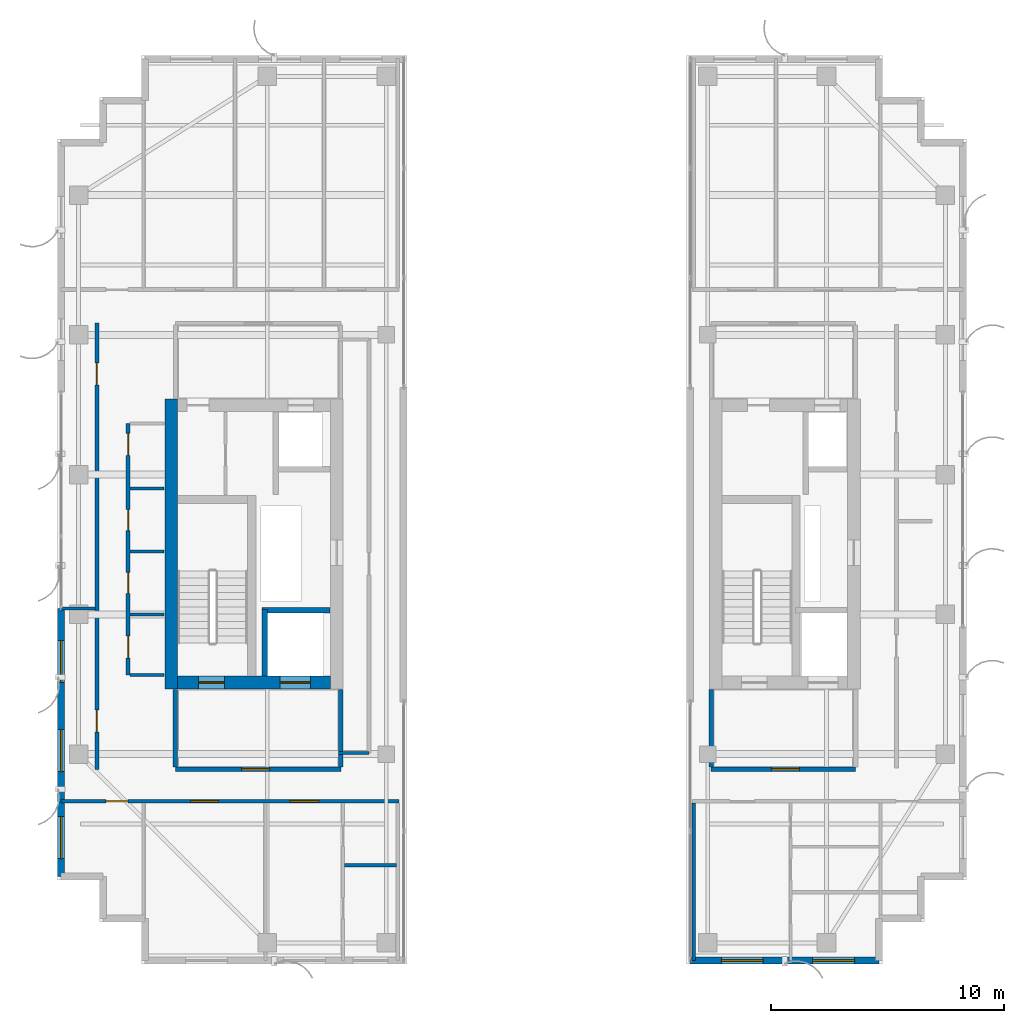
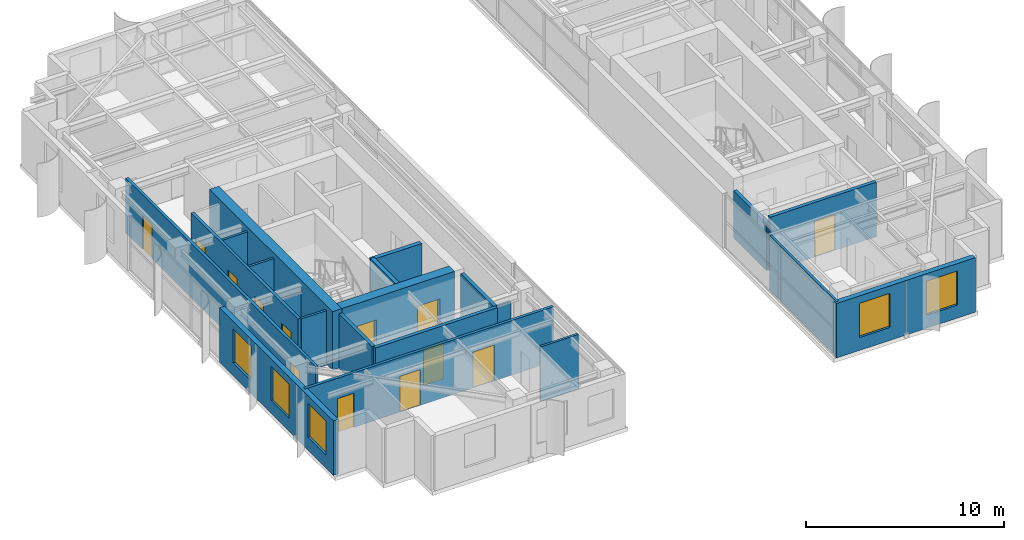
# One storey, part 18 of 24: 22 walls, 13 doors, 5 windows, 18 openings.
"""IFC4 building model written with IfcOpenShell, lengths in metres."""

from ifc_helpers import new_model, si_unit, direction, frame, frame_2d, origin, place, context, subcontext, project, spatial, rectangle, extrude, source, transform, mapped, material, layer, layer_set, type_object, element, fill, save


model = new_model("IFC4")

# Units and contexts
model_context = context("Model", 3, precision=1e-05, world=origin(), true_north=direction((0.0, 1.0)))
body_context = subcontext(model_context, "Body", "Model", "MODEL_VIEW")
ifc_project = project(units=[si_unit("LENGTHUNIT", "METRE"), si_unit("AREAUNIT", "SQUARE_METRE"), si_unit("VOLUMEUNIT", "CUBIC_METRE"), si_unit("PLANEANGLEUNIT", "RADIAN"), si_unit("MASSUNIT", "GRAM", prefix="KILO")], contexts=[model_context])

# Site, building, storey
site_placement = place(None, origin())
site = spatial("IfcSite", under=ifc_project, at=site_placement, CompositionType="ELEMENT")
building_placement = place(site_placement, origin())
building = spatial("IfcBuilding", under=site, at=building_placement, Name="Khoralis Quay Care Tower", CompositionType="ELEMENT")
storey_placement = place(building_placement, frame((0.0, 0.0, 231.300048828125)))
storey = spatial("IfcBuildingStorey", under=building, at=storey_placement, Name="L60", CompositionType="ELEMENT", Elevation=231.300048828125)

# Wall, opening, door
ifc_material_1 = material(Name="Gypsum plasterboard on acoustic metal stud")
ifc_layer_1 = layer(ifc_material_1, 0.199951171875)
ifc_layer_set_1 = layer_set([ifc_layer_1], Name="Gypsum plasterboard on acoustic metal stud")
wall_type_1 = type_object("IfcWallType", Name="WL-COMP-200", PredefinedType="PARTITIONING", material=ifc_layer_set_1)
wall_1_placement = place(storey_placement, frame((8.050048828125, 11.35009765625, 0.0), z_axis=(0.0, 0.0, 1.0), x_axis=(1.0, 0.0, 0.0)))
wall_1 = element("IfcWall", 1, at=wall_1_placement, inside=storey, type_object=wall_type_1, Name="L60 West Firefighting Lobby South Wall", PredefinedType="PARTITIONING", context=body_context, shape_type="SweptSolid", body=[
    extrude(rectangle(XDim=7.099853515625, YDim=0.199951171875, at=frame_2d((3.5498046875, 0.0))), origin(), (0.0, 0.0, 1.0), 3.35986328125),
])
opening_1_placement = place(wall_1_placement, frame((2.846435546875, 0.0, 0.0)))
opening_1 = element("IfcOpeningElement", 2, at=opening_1_placement, cuts=wall_1, Name="Opening FD1", PredefinedType="OPENING", context=body_context, shape_type="SweptSolid", body=[
    extrude(rectangle(XDim=1.199951171875, YDim=2.199951171875, at=frame_2d((0.60009765625, 1.10009765625))), frame((0.0, 0.10986328125, 0.0), z_axis=(0.0, -1.0, 0.0), x_axis=(1.0, 0.0, 0.0)), (0.0, 0.0, 1.0), 0.219970703125),
])
ifc_material_2 = material(Name="Fire-rated painted steel", Category="steel")
door_type_1 = type_object("IfcDoorType", Name="DR-FFL-1200X2200", OperationType="NOTDEFINED", PredefinedType="DOOR", material=ifc_material_2)
shared_shape_1 = source(origin(), body_context, "Body", "SweptSolid", [
    extrude(rectangle(XDim=1.199951171875, YDim=2.199951171875, at=frame_2d((0.60009765625, 1.10009765625))), frame((0.0, 0.02490234375, 0.0), z_axis=(0.0, -1.0, 0.0), x_axis=(1.0, 0.0, 0.0)), (0.0, 0.0, 1.0), 0.050048828125),
])
door_1_placement = place(opening_1_placement, origin())
door_1 = element("IfcDoor", 3, at=door_1_placement, inside=storey, type_object=door_type_1, Name="L60 West Firefighting Lobby Fire Door", OperationType="SINGLE_SWING_RIGHT", OverallHeight=2.199951171875, OverallWidth=1.199951171875, PredefinedType="DOOR", context=body_context, shape_type="MappedRepresentation", body=[
    mapped(shared_shape_1, transform((0.0, 0.0, 0.0), scale=1.0)),
])
fill(opening_1, door_1)

# Walls
for number, where, z_axis, x_axis, name in (
    (4, (8.050048828125, 11.445068359375, 0.0), (0.0, 0.0, 1.0), (0.0, 1.0, 0.0), "L60 West Firefighting Lobby West Wall"),
    (5, (15.14990234375, 11.445068359375, 0.0), (0.0, 0.0, 1.0), (0.0, 1.0, 0.0), "L60 West Firefighting Lobby East Wall"),
):
    element("IfcWall", number, at=place(storey_placement, frame(where, z_axis=z_axis, x_axis=x_axis)), inside=storey, type_object=wall_type_1, Name=name, PredefinedType="PARTITIONING", context=body_context, shape_type="SweptSolid", body=[
        extrude(rectangle(XDim=3.3349609375, YDim=0.199951171875, at=frame_2d((1.66748046875, 0.0))), origin(), (0.0, 0.0, 1.0), 3.35986328125),
    ])

# Wall, opening, door
wall_2_placement = place(storey_placement, frame((31.050048828125, 11.35009765625, 0.0), z_axis=(0.0, 0.0, 1.0), x_axis=(1.0, 0.0, 0.0)))
wall_2 = element("IfcWall", 6, at=wall_2_placement, inside=storey, type_object=wall_type_1, Name="L60 East Firefighting Lobby South Wall", PredefinedType="PARTITIONING", context=body_context, shape_type="SweptSolid", body=[
    extrude(rectangle(XDim=6.199951171875, YDim=0.199951171875, at=frame_2d((3.10009765625, 0.0))), origin(), (0.0, 0.0, 1.0), 3.35986328125),
])
opening_2_placement = place(wall_2_placement, frame((2.585693359375, 0.0, 0.0)))
opening_2 = element("IfcOpeningElement", 7, at=opening_2_placement, cuts=wall_2, Name="Opening FD1", PredefinedType="OPENING", context=body_context, shape_type="SweptSolid", body=[
    extrude(rectangle(XDim=1.199951171875, YDim=2.199951171875, at=frame_2d((0.60009765625, 1.10009765625))), frame((0.0, 0.10986328125, 0.0), z_axis=(0.0, -1.0, 0.0), x_axis=(1.0, 0.0, 0.0)), (0.0, 0.0, 1.0), 0.219970703125),
])
door_2_placement = place(opening_2_placement, origin())
door_2 = element("IfcDoor", 8, at=door_2_placement, inside=storey, type_object=door_type_1, Name="L60 East Firefighting Lobby Fire Door", OperationType="SINGLE_SWING_LEFT", OverallHeight=2.199951171875, OverallWidth=1.199951171875, PredefinedType="DOOR", context=body_context, shape_type="MappedRepresentation", body=[
    mapped(shared_shape_1, transform((0.0, 0.0, 0.0), scale=1.0)),
])
fill(opening_2, door_2)

# Walls
wall_3_placement = place(storey_placement, frame((31.050048828125, 11.445068359375, 0.0), z_axis=(0.0, 0.0, 1.0), x_axis=(0.0, 1.0, 0.0)))
element("IfcWall", 9, at=wall_3_placement, inside=storey, type_object=wall_type_1, Name="L60 East Firefighting Lobby West Wall", PredefinedType="PARTITIONING", context=body_context, shape_type="SweptSolid", body=[
    extrude(rectangle(XDim=3.3349609375, YDim=0.199951171875, at=frame_2d((1.66748046875, 0.0))), origin(), (0.0, 0.0, 1.0), 2.90087890625),
])
ifc_material_3 = material(Name="Concrete C65/80", Category="concrete")
ifc_layer_2 = layer(ifc_material_3, 0.550048828125)
ifc_layer_set_2 = layer_set([ifc_layer_2], Name="Concrete C65/80")
wall_type_2 = type_object("IfcWallType", Name="WL-CORE-550", PredefinedType="SHEAR", material=ifc_layer_set_2)
wall_4_placement = place(storey_placement, frame((7.875, 14.800048828125, 0.0), z_axis=(0.0, 0.0, 1.0), x_axis=(0.0, 1.0, 0.0)))
element("IfcWall", 10, at=wall_4_placement, inside=storey, type_object=wall_type_2, Name="L60 WCORE West Shear Wall", PredefinedType="SHEAR", context=body_context, shape_type="SweptSolid", body=[
    extrude(rectangle(XDim=12.449951171875, YDim=0.550048828125, at=frame_2d((6.22509765625, 0.0))), origin(), (0.0, 0.0, 1.0), 3.599853515625),
])

# Wall, openings, doors
wall_5_placement = place(storey_placement, frame((8.14990234375, 15.074951171875, 0.0), z_axis=(0.0, 0.0, 1.0), x_axis=(1.0, 0.0, 0.0)))
wall_5 = element("IfcWall", 11, at=wall_5_placement, inside=storey, type_object=wall_type_2, Name="L60 WCORE South Shear Wall", PredefinedType="SHEAR", context=body_context, shape_type="SweptSolid", body=[
    extrude(rectangle(XDim=6.550048828125, YDim=0.550048828125, at=frame_2d((3.27490234375, 0.0))), origin(), (0.0, 0.0, 1.0), 3.599853515625),
])
opening_3_placement = place(wall_5_placement, frame((0.89990234375, 0.0, 0.0)))
opening_3 = element("IfcOpeningElement", 12, at=opening_3_placement, cuts=wall_5, Name="Opening SD1", PredefinedType="OPENING", context=body_context, shape_type="SweptSolid", body=[
    extrude(rectangle(XDim=1.10009765625, YDim=2.199951171875, at=frame_2d((0.550048828125, 1.10009765625))), frame((0.0, 0.28515625, 0.0), z_axis=(0.0, -1.0, 0.0), x_axis=(1.0, 0.0, 0.0)), (0.0, 0.0, 1.0), 0.570068359375),
])
opening_4_placement = place(wall_5_placement, frame((4.39990234375, 0.0, 0.0)))
opening_4 = element("IfcOpeningElement", 13, at=opening_4_placement, cuts=wall_5, Name="Opening LD2", PredefinedType="OPENING", context=body_context, shape_type="SweptSolid", body=[
    extrude(rectangle(XDim=1.300048828125, YDim=2.199951171875, at=frame_2d((0.64990234375, 1.10009765625))), frame((0.0, 0.28515625, 0.0), z_axis=(0.0, -1.0, 0.0), x_axis=(1.0, 0.0, 0.0)), (0.0, 0.0, 1.0), 0.570068359375),
])
door_type_2 = type_object("IfcDoorType", Name="DR-STAIR-1100X2200", OperationType="NOTDEFINED", PredefinedType="DOOR", material=ifc_material_2)
shared_shape_2 = source(origin(), body_context, "Body", "SweptSolid", [
    extrude(rectangle(XDim=1.10009765625, YDim=2.199951171875, at=frame_2d((0.550048828125, 1.10009765625))), frame((0.0, 0.02490234375, 0.0), z_axis=(0.0, -1.0, 0.0), x_axis=(1.0, 0.0, 0.0)), (0.0, 0.0, 1.0), 0.050048828125),
])
door_3_placement = place(opening_3_placement, origin())
door_3 = element("IfcDoor", 14, at=door_3_placement, inside=storey, type_object=door_type_2, Name="L60 Stair ST-T1 Fire Door", OperationType="SINGLE_SWING_RIGHT", OverallHeight=2.199951171875, OverallWidth=1.10009765625, PredefinedType="DOOR", context=body_context, shape_type="MappedRepresentation", body=[
    mapped(shared_shape_2, transform((0.0, 0.0, 0.0), scale=1.0)),
])
fill(opening_3, door_3)
ifc_material_4 = material(Name="Brushed stainless steel", Category="steel")
door_type_3 = type_object("IfcDoorType", Name="DR-LIFT-1300X2200", OperationType="SLIDING_TO_RIGHT", PredefinedType="DOOR", material=ifc_material_4)
shared_shape_3 = source(origin(), body_context, "Body", "SweptSolid", [
    extrude(rectangle(XDim=1.300048828125, YDim=2.199951171875, at=frame_2d((0.64990234375, 1.10009765625))), frame((0.0, 0.02490234375, 0.0), z_axis=(0.0, -1.0, 0.0), x_axis=(1.0, 0.0, 0.0)), (0.0, 0.0, 1.0), 0.050048828125),
])
door_4_placement = place(opening_4_placement, origin())
door_4 = element("IfcDoor", 15, at=door_4_placement, inside=storey, type_object=door_type_3, Name="L60 Firefighting Lift FFL-1 Landing Door", OperationType="SLIDING_TO_RIGHT", OverallHeight=2.199951171875, OverallWidth=1.300048828125, PredefinedType="DOOR", context=body_context, shape_type="MappedRepresentation", body=[
    mapped(shared_shape_3, transform((0.0, 0.0, 0.0), scale=1.0)),
])
fill(opening_4, door_4)

ifc_layer_3 = layer(ifc_material_1, 0.1650390625)
ifc_layer_set_3 = layer_set([ifc_layer_3], Name="Gypsum plasterboard on acoustic metal stud")
wall_type_3 = type_object("IfcWallType", Name="WL-CORR-165", PredefinedType="PARTITIONING", material=ifc_layer_set_3)
wall_6_placement = place(storey_placement, frame((6.02001953125, 15.39990234375, 0.0), z_axis=(0.0, 0.0, 1.0), x_axis=(0.0, 1.0, 0.0)))
wall_6 = element("IfcWall", 16, at=wall_6_placement, inside=storey, type_object=wall_type_3, Name="L60 West Core Service Flank Wall", PredefinedType="PARTITIONING", context=body_context, shape_type="SweptSolid", body=[
    extrude(rectangle(XDim=10.800048828125, YDim=0.1650390625, at=frame_2d((5.39990234375, 0.0))), origin(), (0.0, 0.0, 1.0), 3.35986328125),
])
opening_5_placement = place(wall_6_placement, frame((0.72509765625, 0.0, 0.0)))
opening_5 = element("IfcOpeningElement", 17, at=opening_5_placement, cuts=wall_6, Name="Opening ID1", PredefinedType="OPENING", context=body_context, shape_type="SweptSolid", body=[
    extrude(rectangle(XDim=0.949951171875, YDim=2.10009765625, at=frame_2d((0.47509765625, 1.050048828125))), frame((0.0, 0.092529296875, 0.0), z_axis=(0.0, -1.0, 0.0), x_axis=(1.0, 0.0, 0.0)), (0.0, 0.0, 1.0), 0.18505859375),
])
opening_6_placement = place(wall_6_placement, frame((3.5, 0.0, 0.0)))
opening_6 = element("IfcOpeningElement", 18, at=opening_6_placement, cuts=wall_6, Name="Opening WD1", PredefinedType="OPENING", context=body_context, shape_type="SweptSolid", body=[
    extrude(rectangle(XDim=0.89990234375, YDim=2.10009765625, at=frame_2d((0.449951171875, 1.050048828125))), frame((0.0, 0.092529296875, 0.0), z_axis=(0.0, -1.0, 0.0), x_axis=(1.0, 0.0, 0.0)), (0.0, 0.0, 1.0), 0.18505859375),
])
opening_7_placement = place(wall_6_placement, frame((6.199951171875, 0.0, 0.0)))
opening_7 = element("IfcOpeningElement", 19, at=opening_7_placement, cuts=wall_6, Name="Opening WD1", PredefinedType="OPENING", context=body_context, shape_type="SweptSolid", body=[
    extrude(rectangle(XDim=0.89990234375, YDim=2.10009765625, at=frame_2d((0.449951171875, 1.050048828125))), frame((0.0, 0.092529296875, 0.0), z_axis=(0.0, -1.0, 0.0), x_axis=(1.0, 0.0, 0.0)), (0.0, 0.0, 1.0), 0.18505859375),
])
opening_8_placement = place(wall_6_placement, frame((9.425048828125, 0.0, 0.0)))
opening_8 = element("IfcOpeningElement", 20, at=opening_8_placement, cuts=wall_6, Name="Opening ID1", PredefinedType="OPENING", context=body_context, shape_type="SweptSolid", body=[
    extrude(rectangle(XDim=0.949951171875, YDim=2.10009765625, at=frame_2d((0.47509765625, 1.050048828125))), frame((0.0, 0.092529296875, 0.0), z_axis=(0.0, -1.0, 0.0), x_axis=(1.0, 0.0, 0.0)), (0.0, 0.0, 1.0), 0.18505859375),
])
ifc_material_5 = material(Name="Acoustic hardwood timber", Category="wood")
door_type_4 = type_object("IfcDoorType", Name="DR-BATH-900X2100", OperationType="NOTDEFINED", PredefinedType="DOOR", material=ifc_material_5)
shared_shape_4 = source(origin(), body_context, "Body", "SweptSolid", [
    extrude(rectangle(XDim=0.89990234375, YDim=2.10009765625, at=frame_2d((0.449951171875, 1.050048828125))), frame((0.0, 0.02490234375, 0.0), z_axis=(0.0, -1.0, 0.0), x_axis=(1.0, 0.0, 0.0)), (0.0, 0.0, 1.0), 0.050048828125),
])
door_5_placement = place(opening_6_placement, frame((0.89990234375, 0.0, 0.0), z_axis=(0.0, 0.0, 1.0), x_axis=(-1.0, 0.0, 0.0)))
door_5 = element("IfcDoor", 21, at=door_5_placement, inside=storey, type_object=door_type_4, Name="L60 Public Accessible WC Door", OperationType="SINGLE_SWING_RIGHT", OverallHeight=2.10009765625, OverallWidth=0.89990234375, PredefinedType="DOOR", context=body_context, shape_type="MappedRepresentation", body=[
    mapped(shared_shape_4, transform((0.0, 0.0, 0.0), scale=1.0)),
])
fill(opening_6, door_5)
door_6_placement = place(opening_7_placement, frame((0.89990234375, 0.0, 0.0), z_axis=(0.0, 0.0, 1.0), x_axis=(-1.0, 0.0, 0.0)))
door_6 = element("IfcDoor", 22, at=door_6_placement, inside=storey, type_object=door_type_4, Name="L60 Staff Accessible WC Door", OperationType="SINGLE_SWING_LEFT", OverallHeight=2.10009765625, OverallWidth=0.89990234375, PredefinedType="DOOR", context=body_context, shape_type="MappedRepresentation", body=[
    mapped(shared_shape_4, transform((0.0, 0.0, 0.0), scale=1.0)),
])
fill(opening_7, door_6)
door_type_5 = type_object("IfcDoorType", Name="DR-ROOM-950X2100", OperationType="NOTDEFINED", PredefinedType="DOOR", material=ifc_material_5)
shared_shape_5 = source(origin(), body_context, "Body", "SweptSolid", [
    extrude(rectangle(XDim=0.949951171875, YDim=2.10009765625, at=frame_2d((0.47509765625, 1.050048828125))), frame((0.0, 0.02490234375, 0.0), z_axis=(0.0, -1.0, 0.0), x_axis=(1.0, 0.0, 0.0)), (0.0, 0.0, 1.0), 0.050048828125),
])
door_7_placement = place(opening_5_placement, frame((0.949951171875, 0.0, 0.0), z_axis=(0.0, 0.0, 1.0), x_axis=(-1.0, 0.0, 0.0)))
door_7 = element("IfcDoor", 23, at=door_7_placement, inside=storey, type_object=door_type_5, Name="L60 Housekeeping Store Door", OperationType="SINGLE_SWING_LEFT", OverallHeight=2.10009765625, OverallWidth=0.949951171875, PredefinedType="DOOR", context=body_context, shape_type="MappedRepresentation", body=[
    mapped(shared_shape_5, transform((0.0, 0.0, 0.0), scale=1.0)),
])
fill(opening_5, door_7)
door_8_placement = place(opening_8_placement, frame((0.949951171875, 0.0, 0.0), z_axis=(0.0, 0.0, 1.0), x_axis=(-1.0, 0.0, 0.0)))
door_8 = element("IfcDoor", 24, at=door_8_placement, inside=storey, type_object=door_type_5, Name="L60 Telecom IDF Room Door", OperationType="SINGLE_SWING_RIGHT", OverallHeight=2.10009765625, OverallWidth=0.949951171875, PredefinedType="DOOR", context=body_context, shape_type="MappedRepresentation", body=[
    mapped(shared_shape_5, transform((0.0, 0.0, 0.0), scale=1.0)),
])
fill(opening_8, door_8)

wall_7_placement = place(storey_placement, frame((3.14501953125, 9.97998046875, 0.0), z_axis=(0.0, 0.0, 1.0), x_axis=(1.0, 0.0, 0.0)))
wall_7 = element("IfcWall", 25, at=wall_7_placement, inside=storey, type_object=wall_type_3, Name="L60 West Wing South Corridor Wall", PredefinedType="PARTITIONING", context=body_context, shape_type="SweptSolid", body=[
    extrude(rectangle(XDim=14.5048828125, YDim=0.1650390625, at=frame_2d((7.25244140625, 0.0))), origin(), (0.0, 0.0, 1.0), 3.35986328125),
])
opening_9_placement = place(wall_7_placement, frame((5.554931640625, 0.0, 0.0)))
opening_9 = element("IfcOpeningElement", 26, at=opening_9_placement, cuts=wall_7, Name="Opening FD1", PredefinedType="OPENING", context=body_context, shape_type="SweptSolid", body=[
    extrude(rectangle(XDim=1.199951171875, YDim=2.199951171875, at=frame_2d((0.60009765625, 1.10009765625))), frame((0.0, 0.092529296875, 0.0), z_axis=(0.0, -1.0, 0.0), x_axis=(1.0, 0.0, 0.0)), (0.0, 0.0, 1.0), 0.18505859375),
])
opening_10_placement = place(wall_7_placement, frame((9.81494140625, 0.0, 0.0)))
opening_10 = element("IfcOpeningElement", 27, at=opening_10_placement, cuts=wall_7, Name="Opening CD1", PredefinedType="OPENING", context=body_context, shape_type="SweptSolid", body=[
    extrude(rectangle(XDim=1.25, YDim=2.199951171875, at=frame_2d((0.625, 1.10009765625))), frame((0.0, 0.092529296875, 0.0), z_axis=(0.0, -1.0, 0.0), x_axis=(1.0, 0.0, 0.0)), (0.0, 0.0, 1.0), 0.18505859375),
])
opening_11_placement = place(wall_7_placement, frame((1.919921875, 0.0, 0.0)))
opening_11 = element("IfcOpeningElement", 28, at=opening_11_placement, cuts=wall_7, Name="Opening ID1", PredefinedType="OPENING", context=body_context, shape_type="SweptSolid", body=[
    extrude(rectangle(XDim=0.949951171875, YDim=2.10009765625, at=frame_2d((0.47509765625, 1.050048828125))), frame((0.0, 0.092529296875, 0.0), z_axis=(0.0, -1.0, 0.0), x_axis=(1.0, 0.0, 0.0)), (0.0, 0.0, 1.0), 0.18505859375),
])
door_9_placement = place(opening_9_placement, frame((1.199951171875, 0.0, 0.0), z_axis=(0.0, 0.0, 1.0), x_axis=(-1.0, 0.0, 0.0)))
door_9 = element("IfcDoor", 29, at=door_9_placement, inside=storey, type_object=door_type_1, Name="L60 Resident Communal Day Lounge Door", OperationType="DOUBLE_DOOR_SINGLE_SWING", OverallHeight=2.199951171875, OverallWidth=1.199951171875, PredefinedType="DOOR", context=body_context, shape_type="MappedRepresentation", body=[
    mapped(shared_shape_1, transform((0.0, 0.0, 0.0), scale=1.0)),
])
fill(opening_9, door_9)
door_type_6 = type_object("IfcDoorType", Name="DR-CARE-1250X2200", OperationType="NOTDEFINED", PredefinedType="DOOR", material=ifc_material_5)
shared_shape_6 = source(origin(), body_context, "Body", "SweptSolid", [
    extrude(rectangle(XDim=1.25, YDim=2.199951171875, at=frame_2d((0.625, 1.10009765625))), frame((0.0, 0.02490234375, 0.0), z_axis=(0.0, -1.0, 0.0), x_axis=(1.0, 0.0, 0.0)), (0.0, 0.0, 1.0), 0.050048828125),
])
door_10_placement = place(opening_10_placement, frame((1.25, 0.0, 0.0), z_axis=(0.0, 0.0, 1.0), x_axis=(-1.0, 0.0, 0.0)))
door_10 = element("IfcDoor", 30, at=door_10_placement, inside=storey, type_object=door_type_6, Name="L60 Care Suite WS1 Clinical Door", OperationType="SINGLE_SWING_RIGHT", OverallHeight=2.199951171875, OverallWidth=1.25, PredefinedType="DOOR", context=body_context, shape_type="MappedRepresentation", body=[
    mapped(shared_shape_6, transform((0.0, 0.0, 0.0), scale=1.0)),
])
fill(opening_10, door_10)
door_11_placement = place(opening_11_placement, frame((0.949951171875, 0.0, 0.0), z_axis=(0.0, 0.0, 1.0), x_axis=(-1.0, 0.0, 0.0)))
door_11 = element("IfcDoor", 31, at=door_11_placement, inside=storey, type_object=door_type_5, Name="L60 SW Corner Door", OperationType="SINGLE_SWING_LEFT", OverallHeight=2.10009765625, OverallWidth=0.949951171875, PredefinedType="DOOR", context=body_context, shape_type="MappedRepresentation", body=[
    mapped(shared_shape_5, transform((0.0, 0.0, 0.0), scale=1.0)),
])
fill(opening_11, door_11)

wall_8_placement = place(storey_placement, frame((4.679931640625, 11.35009765625, 0.0), z_axis=(0.0, 0.0, 1.0), x_axis=(0.0, 1.0, 0.0)))
wall_8 = element("IfcWall", 32, at=wall_8_placement, inside=storey, type_object=wall_type_3, Name="L60 West Mid South Entry Wall", PredefinedType="PARTITIONING", context=body_context, shape_type="SweptSolid", body=[
    extrude(rectangle(XDim=19.14990234375, YDim=0.1650390625, at=frame_2d((9.574951171875, 0.0))), origin(), (0.0, 0.0, 1.0), 3.35986328125),
])
opening_12_placement = place(wall_8_placement, frame((1.60009765625, 0.0, 0.0)))
opening_12 = element("IfcOpeningElement", 33, at=opening_12_placement, cuts=wall_8, Name="Opening ID1", PredefinedType="OPENING", context=body_context, shape_type="SweptSolid", body=[
    extrude(rectangle(XDim=0.949951171875, YDim=2.10009765625, at=frame_2d((0.47509765625, 1.050048828125))), frame((0.0, 0.092529296875, 0.0), z_axis=(0.0, -1.0, 0.0), x_axis=(1.0, 0.0, 0.0)), (0.0, 0.0, 1.0), 0.18505859375),
])
opening_13_placement = place(wall_8_placement, frame((16.5, 0.0, 0.0)))
opening_13 = element("IfcOpeningElement", 34, at=opening_13_placement, cuts=wall_8, Name="Opening ID1", PredefinedType="OPENING", context=body_context, shape_type="SweptSolid", body=[
    extrude(rectangle(XDim=0.949951171875, YDim=2.10009765625, at=frame_2d((0.47509765625, 1.050048828125))), frame((0.0, 0.092529296875, 0.0), z_axis=(0.0, -1.0, 0.0), x_axis=(1.0, 0.0, 0.0)), (0.0, 0.0, 1.0), 0.18505859375),
])
door_12_placement = place(opening_12_placement, frame((0.949951171875, 0.0, 0.0), z_axis=(0.0, 0.0, 1.0), x_axis=(-1.0, 0.0, 0.0)))
door_12 = element("IfcDoor", 35, at=door_12_placement, inside=storey, type_object=door_type_5, Name="L60 West Daylight Care Bedroom Door", OperationType="SINGLE_SWING_LEFT", OverallHeight=2.10009765625, OverallWidth=0.949951171875, PredefinedType="DOOR", context=body_context, shape_type="MappedRepresentation", body=[
    mapped(shared_shape_5, transform((0.0, 0.0, 0.0), scale=1.0)),
])
fill(opening_12, door_12)
door_13_placement = place(opening_13_placement, frame((0.949951171875, 0.0, 0.0), z_axis=(0.0, 0.0, 1.0), x_axis=(-1.0, 0.0, 0.0)))
door_13 = element("IfcDoor", 36, at=door_13_placement, inside=storey, type_object=door_type_5, Name="L60 West Resident Day Lounge Door", OperationType="SINGLE_SWING_RIGHT", OverallHeight=2.10009765625, OverallWidth=0.949951171875, PredefinedType="DOOR", context=body_context, shape_type="MappedRepresentation", body=[
    mapped(shared_shape_5, transform((0.0, 0.0, 0.0), scale=1.0)),
])
fill(opening_13, door_13)

# Wall, openings, windows
ifc_material_6 = material(Name="Precast concrete C45/55", Category="concrete")
ifc_layer_4 = layer(ifc_material_6, 0.300048828125)
ifc_layer_set_4 = layer_set([ifc_layer_4], Name="Precast concrete C45/55")
wall_type_4 = type_object("IfcWallType", Name="WL-EXT-REF-300", PredefinedType="SOLIDWALL", material=ifc_layer_set_4)
wall_9_placement = place(storey_placement, frame((3.14990234375, 18.25, 0.0), z_axis=(0.0, 0.0, 1.0), x_axis=(0.0, -1.0, 0.0)))
wall_9 = element("IfcWall", 37, at=wall_9_placement, inside=storey, type_object=wall_type_4, Name="L60 External Facade Wall WL-EXT-L60-P1-E7B", PredefinedType="SOLIDWALL", context=body_context, shape_type="SweptSolid", body=[
    extrude(rectangle(XDim=11.5, YDim=0.300048828125, at=frame_2d((5.75, 0.0))), origin(), (0.0, 0.0, 1.0), 3.35986328125),
])
opening_14_placement = place(wall_9_placement, frame((1.37255859375, 0.0, 0.800048828125)))
opening_14 = element("IfcOpeningElement", 38, at=opening_14_placement, cuts=wall_9, Name="Opening W2", PredefinedType="OPENING", context=body_context, shape_type="SweptSolid", body=[
    extrude(rectangle(XDim=1.800048828125, YDim=2.10009765625, at=frame_2d((0.89990234375, 1.050048828125))), frame((0.0, 0.16015625, 0.0), z_axis=(0.0, -1.0, 0.0), x_axis=(1.0, 0.0, 0.0)), (0.0, 0.0, 1.0), 0.320068359375),
])
opening_15_placement = place(wall_9_placement, frame((5.197509765625, 0.0, 0.800048828125)))
opening_15 = element("IfcOpeningElement", 39, at=opening_15_placement, cuts=wall_9, Name="Opening W2", PredefinedType="OPENING", context=body_context, shape_type="SweptSolid", body=[
    extrude(rectangle(XDim=1.800048828125, YDim=2.10009765625, at=frame_2d((0.89990234375, 1.050048828125))), frame((0.0, 0.16015625, 0.0), z_axis=(0.0, -1.0, 0.0), x_axis=(1.0, 0.0, 0.0)), (0.0, 0.0, 1.0), 0.320068359375),
])
opening_16_placement = place(wall_9_placement, frame((8.93505859375, 0.0, 0.800048828125)))
opening_16 = element("IfcOpeningElement", 40, at=opening_16_placement, cuts=wall_9, Name="Opening W2", PredefinedType="OPENING", context=body_context, shape_type="SweptSolid", body=[
    extrude(rectangle(XDim=1.800048828125, YDim=2.10009765625, at=frame_2d((0.89990234375, 1.050048828125))), frame((0.0, 0.16015625, 0.0), z_axis=(0.0, -1.0, 0.0), x_axis=(1.0, 0.0, 0.0)), (0.0, 0.0, 1.0), 0.320068359375),
])
ifc_material_7 = material(Name="Low-E solar-control double glazing", Category="glass")
window_type = type_object("IfcWindowType", Name="WN-POD-1800X2100", PartitioningType="SINGLE_PANEL", PredefinedType="WINDOW", material=ifc_material_7)
shared_shape_7 = source(origin(), body_context, "Body", "SweptSolid", [
    extrude(rectangle(XDim=1.800048828125, YDim=2.10009765625, at=frame_2d((0.89990234375, 1.050048828125))), frame((0.0, 0.030029296875, 0.0), z_axis=(0.0, -1.0, 0.0), x_axis=(1.0, 0.0, 0.0)), (0.0, 0.0, 1.0), 0.06005859375),
])
window_1_placement = place(opening_14_placement, origin())
window_1 = element("IfcWindow", 41, at=window_1_placement, inside=storey, type_object=window_type, Name="WN-L60-P1-E7B Facade Window 01", OverallHeight=2.10009765625, OverallWidth=1.800048828125, PartitioningType="SINGLE_PANEL", PredefinedType="WINDOW", context=body_context, shape_type="MappedRepresentation", body=[
    mapped(shared_shape_7, transform((0.0, 0.0, 0.0), scale=1.0)),
])
fill(opening_14, window_1)
window_2_placement = place(opening_15_placement, origin())
window_2 = element("IfcWindow", 42, at=window_2_placement, inside=storey, type_object=window_type, Name="WN-L60-P1-E7B Facade Window 02", OverallHeight=2.10009765625, OverallWidth=1.800048828125, PartitioningType="SINGLE_PANEL", PredefinedType="WINDOW", context=body_context, shape_type="MappedRepresentation", body=[
    mapped(shared_shape_7, transform((0.0, 0.0, 0.0), scale=1.0)),
])
fill(opening_15, window_2)
window_3_placement = place(opening_16_placement, origin())
window_3 = element("IfcWindow", 43, at=window_3_placement, inside=storey, type_object=window_type, Name="WN-L60-P1-E7B Facade Window 03", OverallHeight=2.10009765625, OverallWidth=1.800048828125, PartitioningType="SINGLE_PANEL", PredefinedType="WINDOW", context=body_context, shape_type="MappedRepresentation", body=[
    mapped(shared_shape_7, transform((0.0, 0.0, 0.0), scale=1.0)),
])
fill(opening_16, window_3)

wall_10_placement = place(storey_placement, frame((30.14990234375, 3.14990234375, 0.0), z_axis=(0.0, 0.0, 1.0), x_axis=(1.0, 0.0, 0.0)))
wall_10 = element("IfcWall", 44, at=wall_10_placement, inside=storey, type_object=wall_type_4, Name="L60 External Facade Wall WL-EXT-L60-P2-E0", PredefinedType="SOLIDWALL", context=body_context, shape_type="SweptSolid", body=[
    extrude(rectangle(XDim=8.10009765625, YDim=0.300048828125, at=frame_2d((4.050048828125, 0.0))), origin(), (0.0, 0.0, 1.0), 3.35986328125),
])
opening_17_placement = place(wall_10_placement, frame((1.3349609375, 0.0, 0.800048828125)))
opening_17 = element("IfcOpeningElement", 45, at=opening_17_placement, cuts=wall_10, Name="Opening W2", PredefinedType="OPENING", context=body_context, shape_type="SweptSolid", body=[
    extrude(rectangle(XDim=1.800048828125, YDim=2.10009765625, at=frame_2d((0.89990234375, 1.050048828125))), frame((0.0, 0.16015625, 0.0), z_axis=(0.0, -1.0, 0.0), x_axis=(1.0, 0.0, 0.0)), (0.0, 0.0, 1.0), 0.320068359375),
])
opening_18_placement = place(wall_10_placement, frame((5.260009765625, 0.0, 0.800048828125)))
opening_18 = element("IfcOpeningElement", 46, at=opening_18_placement, cuts=wall_10, Name="Opening W2", PredefinedType="OPENING", context=body_context, shape_type="SweptSolid", body=[
    extrude(rectangle(XDim=1.800048828125, YDim=2.10009765625, at=frame_2d((0.89990234375, 1.050048828125))), frame((0.0, 0.16015625, 0.0), z_axis=(0.0, -1.0, 0.0), x_axis=(1.0, 0.0, 0.0)), (0.0, 0.0, 1.0), 0.320068359375),
])
window_4_placement = place(opening_17_placement, origin())
window_4 = element("IfcWindow", 47, at=window_4_placement, inside=storey, type_object=window_type, Name="WN-L60-P2-E0 Facade Window 01", OverallHeight=2.10009765625, OverallWidth=1.800048828125, PartitioningType="SINGLE_PANEL", PredefinedType="WINDOW", context=body_context, shape_type="MappedRepresentation", body=[
    mapped(shared_shape_7, transform((0.0, 0.0, 0.0), scale=1.0)),
])
fill(opening_17, window_4)
window_5_placement = place(opening_18_placement, origin())
window_5 = element("IfcWindow", 48, at=window_5_placement, inside=storey, type_object=window_type, Name="WN-L60-P2-E0 Facade Window 02", OverallHeight=2.10009765625, OverallWidth=1.800048828125, PartitioningType="SINGLE_PANEL", PredefinedType="WINDOW", context=body_context, shape_type="MappedRepresentation", body=[
    mapped(shared_shape_7, transform((0.0, 0.0, 0.0), scale=1.0)),
])
fill(opening_18, window_5)

# Walls
ifc_material_8 = material(Name="Moisture-resistant gypsum and ceramic tile")
ifc_layer_5 = layer(ifc_material_8, 0.280029296875)
ifc_layer_set_5 = layer_set([ifc_layer_5], Name="Moisture-resistant gypsum and ceramic tile")
wall_type_5 = type_object("IfcWallType", Name="WL-PLUMB-280", PredefinedType="PLUMBINGWALL", material=ifc_layer_set_5)
wall_11_placement = place(storey_placement, frame((6.097412109375, 18.0, 0.0), z_axis=(0.0, 0.0, 1.0), x_axis=(1.0, 0.0, 0.0)))
element("IfcWall", 49, at=wall_11_placement, inside=storey, type_object=wall_type_5, Name="L60 West Flank Divider 1", PredefinedType="PLUMBINGWALL", context=body_context, shape_type="SweptSolid", body=[
    extrude(rectangle(XDim=1.462646484375, YDim=0.139892578125, at=frame_2d((0.7314453125, 0.0))), origin(), (0.0, 0.0, 1.0), 2.85986328125),
])
wall_12_placement = place(storey_placement, frame((6.097412109375, 20.699951171875, 0.0), z_axis=(0.0, 0.0, 1.0), x_axis=(1.0, 0.0, 0.0)))
element("IfcWall", 50, at=wall_12_placement, inside=storey, type_object=wall_type_5, Name="L60 West Flank Divider 2", PredefinedType="PLUMBINGWALL", context=body_context, shape_type="SweptSolid", body=[
    extrude(rectangle(XDim=1.462646484375, YDim=0.139892578125, at=frame_2d((0.7314453125, 0.0))), origin(), (0.0, 0.0, 1.0), 3.35986328125),
])
wall_13_placement = place(storey_placement, frame((15.31494140625, 7.22998046875, 0.0), z_axis=(0.0, 0.0, 1.0), x_axis=(1.0, 0.0, 0.0)))
element("IfcWall", 51, at=wall_13_placement, inside=storey, type_object=wall_type_5, Name="L60 Care Suite 1 En-Suite Wall H", PredefinedType="PLUMBINGWALL", context=body_context, shape_type="SweptSolid", body=[
    extrude(rectangle(XDim=2.219970703125, YDim=0.139892578125, at=frame_2d((1.10986328125, 0.0))), origin(), (0.0, 0.0, 1.0), 3.35986328125),
])
ifc_layer_6 = layer(ifc_material_1, 0.239990234375)
ifc_layer_set_6 = layer_set([ifc_layer_6], Name="Gypsum plasterboard on acoustic metal stud")
wall_type_6 = type_object("IfcWallType", Name="WL-SHAFT-240", PredefinedType="PARTITIONING", material=ifc_layer_set_6)
wall_14_placement = place(storey_placement, frame((11.8798828125, 15.35009765625, 0.0), z_axis=(0.0, 0.0, 1.0), x_axis=(0.0, 1.0, 0.0)))
element("IfcWall", 52, at=wall_14_placement, inside=storey, type_object=wall_type_6, Name="L60 FFL-1 Shaft Wall West", PredefinedType="PARTITIONING", context=body_context, shape_type="SweptSolid", body=[
    extrude(rectangle(XDim=2.849853515625, YDim=0.239990234375, at=frame_2d((1.4248046875, 0.0))), origin(), (0.0, 0.0, 1.0), 3.35986328125),
])
wall_15_placement = place(storey_placement, frame((11.760009765625, 18.169921875, 0.0), z_axis=(0.0, 0.0, 1.0), x_axis=(1.0, 0.0, 0.0)))
element("IfcWall", 53, at=wall_15_placement, inside=storey, type_object=wall_type_6, Name="L60 FFL-1 Shaft Wall North", PredefinedType="PARTITIONING", context=body_context, shape_type="SweptSolid", body=[
    extrude(rectangle(XDim=2.919921875, YDim=0.239990234375, at=frame_2d((1.4599609375, 0.0))), origin(), (0.0, 0.0, 1.0), 3.35986328125),
])
ifc_layer_7 = layer(ifc_material_1, 0.139892578125)
ifc_layer_set_7 = layer_set([ifc_layer_7], Name="Gypsum plasterboard on acoustic metal stud")
wall_type_7 = type_object("IfcWallType", Name="WL-UNIT-140", PredefinedType="PARTITIONING", material=ifc_layer_set_7)
for number, where, z_axis, x_axis, name in (
    (54, (6.097412109375, 15.39990234375, 0.0), (0.0, 0.0, 1.0), (1.0, 0.0, 0.0), "L60 West Flank South Cap"),
    (55, (6.097412109375, 23.39990234375, 0.0), (0.0, 0.0, 1.0), (1.0, 0.0, 0.0), "L60 West Flank Divider 3"),
):
    element("IfcWall", number, at=place(storey_placement, frame(where, z_axis=z_axis, x_axis=x_axis)), inside=storey, type_object=wall_type_7, Name=name, PredefinedType="PARTITIONING", context=body_context, shape_type="SweptSolid", body=[
        extrude(rectangle(XDim=1.462646484375, YDim=0.139892578125, at=frame_2d((0.7314453125, 0.0))), origin(), (0.0, 0.0, 1.0), 3.35986328125),
    ])
wall_16_placement = place(storey_placement, frame((3.14501953125, 18.25, 0.0), z_axis=(0.0, 0.0, 1.0), x_axis=(1.0, 0.0, 0.0)))
element("IfcWall", 56, at=wall_16_placement, inside=storey, type_object=wall_type_7, Name="L60 West Mid Split", PredefinedType="PARTITIONING", context=body_context, shape_type="SweptSolid", body=[
    extrude(rectangle(XDim=1.45751953125, YDim=0.139892578125, at=frame_2d((0.728759765625, 0.0))), origin(), (0.0, 0.0, 1.0), 2.85986328125),
])
wall_17_placement = place(storey_placement, frame((30.300048828125, 3.14501953125, 0.0), z_axis=(0.0, 0.0, 1.0), x_axis=(0.0, 1.0, 0.0)))
element("IfcWall", 57, at=wall_17_placement, inside=storey, type_object=wall_type_7, Name="L60 ES Demising Wall 0", PredefinedType="PARTITIONING", context=body_context, shape_type="SweptSolid", body=[
    extrude(rectangle(XDim=6.757568359375, YDim=0.139892578125, at=frame_2d((3.37890625, 0.0))), origin(), (0.0, 0.0, 1.0), 3.35986328125),
])
wall_18_placement = place(storey_placement, frame((15.050048828125, 12.050048828125, 0.0), z_axis=(0.0, 0.0, 1.0), x_axis=(1.0, 0.0, 0.0)))
element("IfcWall", 58, at=wall_18_placement, inside=storey, type_object=wall_type_7, Name="L60 Portal Alcove South Wall", PredefinedType="PARTITIONING", context=body_context, shape_type="SweptSolid", body=[
    extrude(rectangle(XDim=1.31005859375, YDim=0.139892578125, at=frame_2d((0.655029296875, 0.0))), origin(), (0.0, 0.0, 1.0), 2.85986328125),
])

save(model, "model.ifc")
